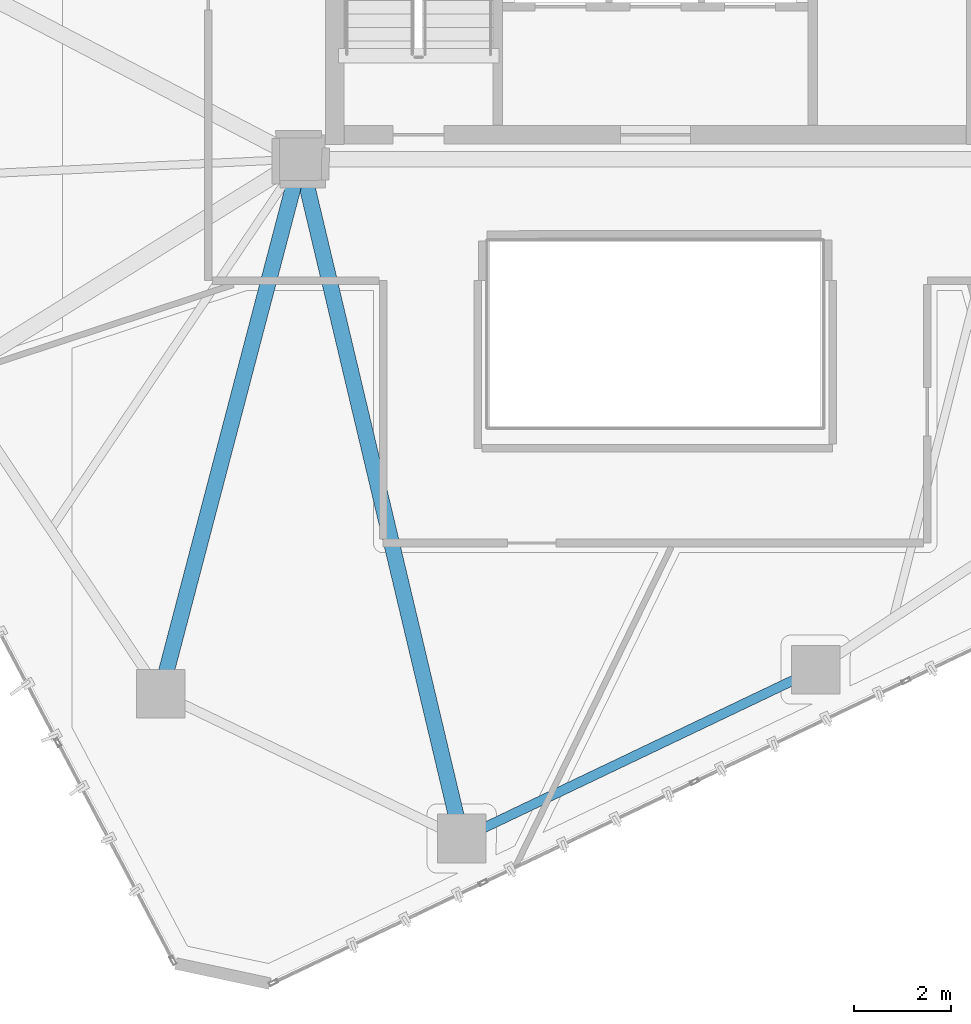
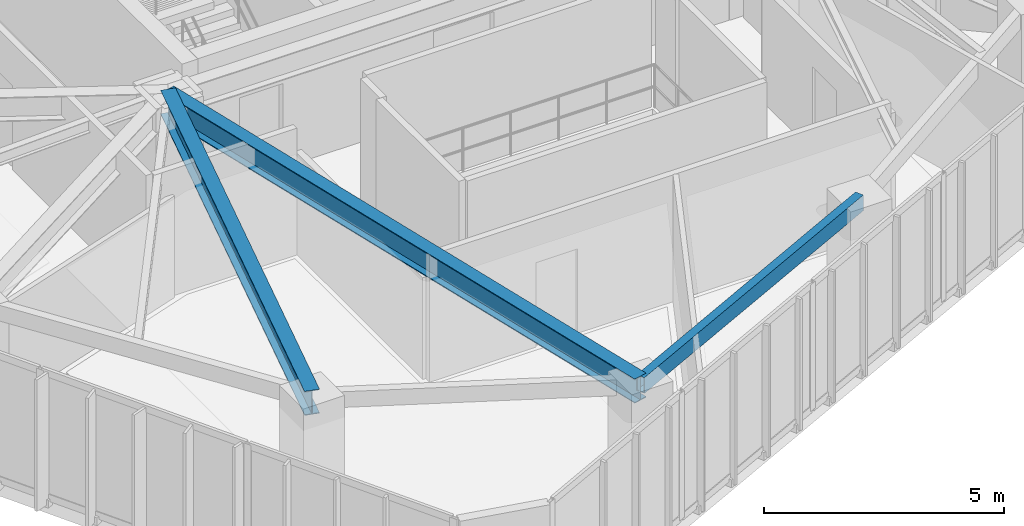
# One storey, part 5 of 18: 3 beams.
"""IFC4 building model written with IfcOpenShell, lengths in metres."""

import ifcopenshell
import ifcopenshell.guid

model = None  # the IFC model being written
_history = None  # IfcOwnerHistory: only IFC2X3 demands one
_inside = {}  # id of a spatial element -> (the spatial element, [elements in it])
_under = {}  # id of a project, library or spatial element -> (it, [spatial elements below it])
_declared = {}  # id of a project -> (the project, [libraries it declares])
_typed = {}  # id of a type object -> (the type object, [elements of that type])
_made_of = {}  # id of a material, layer set ... -> (it, [elements and type objects made of it])


def new_model(schema):
    """Start an empty IFC model of exactly this schema.

    Asked for "IFC4X3", IfcOpenShell would pick the latest addendum, in which some entities
    have other attributes; the version numbers below select the first issue.
    IFC2X3 requires an IfcOwnerHistory on every rooted entity: one is made here for all.
    """
    global model, _history
    if schema == "IFC4X3":
        model = ifcopenshell.file(schema_version=(4, 3, 0, 0))
    else:
        model = ifcopenshell.file(schema=schema)
    _inside.clear()
    _under.clear()
    _declared.clear()
    _typed.clear()
    _made_of.clear()
    _history = None
    if model.schema == "IFC2X3":
        org = make("IfcOrganization", Name="unknown")
        user = make(
            "IfcPersonAndOrganization",
            ThePerson=make("IfcPerson", FamilyName="unknown"),
            TheOrganization=org,
        )
        app = make(
            "IfcApplication",
            ApplicationDeveloper=org,
            Version="unknown",
            ApplicationFullName="unknown",
            ApplicationIdentifier="unknown",
        )
        _history = make(
            "IfcOwnerHistory",
            OwningUser=user,
            OwningApplication=app,
            ChangeAction="ADDED",
            CreationDate=0,
        )
    return model


def make(cls, **values):
    """One entity of the class cls with the attributes given. An attribute that is None is left unset."""
    return model.create_entity(
        cls, **{name: value for name, value in values.items() if value is not None}
    )


def rooted(cls, **values):
    """An entity with a GlobalId (a new one), such as an element, a storey or a relation."""
    return make(cls, GlobalId=ifcopenshell.guid.new(), OwnerHistory=_history, **values)


def si_unit(unit_type, name, prefix=None):
    """IfcSIUnit, for example si_unit("LENGTHUNIT", "METRE", prefix="MILLI")."""
    return make("IfcSIUnit", UnitType=unit_type, Prefix=prefix, Name=name)


def assignment(units):
    """IfcUnitAssignment: the units of a project."""
    return None if units is None else make("IfcUnitAssignment", Units=units)


def point(xyz):
    """IfcCartesianPoint."""
    return None if xyz is None else make("IfcCartesianPoint", Coordinates=xyz)


def direction(xyz):
    """IfcDirection."""
    return None if xyz is None else make("IfcDirection", DirectionRatios=xyz)


def frame(location, z_axis=None, x_axis=None):
    """IfcAxis2Placement3D, a coordinate frame: its origin and axes. An axis left out is left unset."""
    return make(
        "IfcAxis2Placement3D",
        Location=point(location),
        Axis=direction(z_axis),
        RefDirection=direction(x_axis),
    )


def frame_2d(location, x_axis=None):
    """IfcAxis2Placement2D, a coordinate frame in the plane: its origin and x axis."""
    return make(
        "IfcAxis2Placement2D", Location=point(location), RefDirection=direction(x_axis)
    )


def origin():
    """The frame at (0, 0, 0) with its axes left unset."""
    return frame((0.0, 0.0, 0.0))


def origin_2d():
    """The frame at (0, 0) in the plane with its x axis left unset."""
    return frame_2d((0.0, 0.0))


def place(relative_to, where):
    """IfcLocalPlacement: puts the frame where relative to a parent placement (None: the world)."""
    return make(
        "IfcLocalPlacement", PlacementRelTo=relative_to, RelativePlacement=where
    )


def context(
    kind, dimensions, precision=None, world=None, true_north=None, identifier=None
):
    """IfcGeometricRepresentationContext, for example the 3D "Model" context."""
    return make(
        "IfcGeometricRepresentationContext",
        ContextIdentifier=identifier,
        ContextType=kind,
        CoordinateSpaceDimension=dimensions,
        Precision=precision,
        WorldCoordinateSystem=world,
        TrueNorth=true_north,
    )


def subcontext(parent, identifier, kind, view, scale=None):
    """IfcGeometricRepresentationSubContext, for example "Body" below "Model"."""
    return make(
        "IfcGeometricRepresentationSubContext",
        ContextIdentifier=identifier,
        ContextType=kind,
        ParentContext=parent,
        TargetScale=scale,
        TargetView=view,
    )


def project(units=None, contexts=None):
    """IfcProject with its units and contexts."""
    return rooted(
        "IfcProject",
        Name="project",
        RepresentationContexts=contexts,
        UnitsInContext=assignment(units),
    )


def spatial(cls, under=None, at=None, **own):
    """A site, building, storey or space (cls), placed at a placement, below another one or the project."""
    s = rooted(cls, ObjectPlacement=at, **own)
    if under is not None:
        _under.setdefault(under.id(), (under, []))[1].append(s)
    return s


def profile(cls, at=None, kind="AREA", **sizes):
    """A parametric profile (cls). Its sizes go by their IFC names, for example OverallWidth=200.0."""
    return make(cls, ProfileType=kind, Position=at, **sizes)


def hollow_rectangle(**sizes):
    """IfcRectangleHollowProfileDef."""
    return profile("IfcRectangleHollowProfileDef", **sizes)


def i_section(**sizes):
    """IfcIShapeProfileDef."""
    return profile("IfcIShapeProfileDef", **sizes)


def extrude(swept, where, along, depth):
    """IfcExtrudedAreaSolid: the profile swept, set in the frame where, extruded along a direction by depth."""
    return make(
        "IfcExtrudedAreaSolid",
        SweptArea=swept,
        Position=where,
        ExtrudedDirection=direction(along),
        Depth=depth,
    )


def shape(context_of_items, identifier, shape_type, items):
    """IfcShapeRepresentation: the items that make up one representation, for example the "Body"."""
    return make(
        "IfcShapeRepresentation",
        ContextOfItems=context_of_items,
        RepresentationIdentifier=identifier,
        RepresentationType=shape_type,
        Items=items,
    )


def material(Name=None, Category=None):
    """IfcMaterial."""
    return make("IfcMaterial", Name=Name, Category=Category)


def material_profile(
    of_material, cross_section, Name=None, Category=None, Priority=None
):
    """IfcMaterialProfile: a cross section and its material."""
    return make(
        "IfcMaterialProfile",
        Name=Name,
        Material=of_material,
        Profile=cross_section,
        Priority=Priority,
        Category=Category,
    )


def profile_set(profiles, Name=None, composite=None):
    """IfcMaterialProfileSet."""
    return make(
        "IfcMaterialProfileSet",
        Name=Name,
        MaterialProfiles=profiles,
        CompositeProfile=composite,
    )


def made_of(thing, what):
    """Note that an element or type object is made of a material, layer set ...; save() writes the relation."""
    if what is not None:
        _made_of.setdefault(what.id(), (what, []))[1].append(thing)
    return thing


def type_object(cls, material=None, **own):
    """A type object (cls), such as IfcWallType, which elements share."""
    return made_of(rooted(cls, **own), material)


def element(
    cls,
    number,
    at=None,
    inside=None,
    cuts=None,
    type_object=None,
    material=None,
    context=None,
    identifier="Body",
    shape_type=None,
    held_by="IfcProductDefinitionShape",
    body=None,
    shapes=None,
    **own,
):
    """One element of the class cls, such as IfcWall. Its Tag is "e" and its number.

    at: its placement. inside: the storey or other place that contains it. cuts: it is an
    opening in that element (IfcRelVoidsElement). A single representation is given by context,
    identifier, shape_type and body (its items); several are given by shapes. held_by: the class
    of the entity that holds the representations. save() writes the other relations.
    """
    e = rooted(cls, Tag="e%d" % number, ObjectPlacement=at, **own)
    if body is not None:
        shapes = [shape(context, identifier, shape_type, body)]
    if shapes is not None:
        e.Representation = make(held_by, Representations=shapes)
    if inside is not None:
        _inside.setdefault(inside.id(), (inside, []))[1].append(e)
    if cuts is not None:
        rooted(
            "IfcRelVoidsElement", RelatingBuildingElement=cuts, RelatedOpeningElement=e
        )
    if type_object is not None:
        _typed.setdefault(type_object.id(), (type_object, []))[1].append(e)
    return made_of(e, material)


def aggregate(whole, parts):
    """IfcRelAggregates: a whole, such as a stair, and the parts it consists of."""
    return rooted("IfcRelAggregates", RelatingObject=whole, RelatedObjects=parts)


def save(model, path):
    """Write the relations noted so far, then the file.

    IfcRelAggregates (storeys below a building ...), IfcRelContainedInSpatialStructure (elements
    in a storey), IfcRelDefinesByType, IfcRelAssociatesMaterial and IfcRelDeclares: one each for
    every whole, place, type object, material and project.
    """
    for whole, parts in _under.values():
        aggregate(whole, parts)
    for where, things in _inside.values():
        rooted(
            "IfcRelContainedInSpatialStructure",
            RelatedElements=things,
            RelatingStructure=where,
        )
    for kind, things in _typed.values():
        rooted("IfcRelDefinesByType", RelatedObjects=things, RelatingType=kind)
    for what, things in _made_of.values():
        rooted("IfcRelAssociatesMaterial", RelatedObjects=things, RelatingMaterial=what)
    for by, libraries in _declared.values():
        rooted("IfcRelDeclares", RelatingContext=by, RelatedDefinitions=libraries)
    model.write(path)


model = new_model("IFC4")

# Units and contexts
model_context = context("Model", 3, precision=1e-05, world=origin(), true_north=direction((0.0, 1.0)))
body_context = subcontext(model_context, "Body", "Model", "MODEL_VIEW")
ifc_project = project(units=[si_unit("LENGTHUNIT", "METRE"), si_unit("AREAUNIT", "SQUARE_METRE"), si_unit("VOLUMEUNIT", "CUBIC_METRE"), si_unit("PLANEANGLEUNIT", "RADIAN"), si_unit("MASSUNIT", "GRAM", prefix="KILO")], contexts=[model_context])

# Site, building, storey
site_placement = place(None, origin())
site = spatial("IfcSite", under=ifc_project, at=site_placement, CompositionType="ELEMENT")
building_placement = place(site_placement, origin())
building = spatial("IfcBuilding", under=site, at=building_placement, Name="Talar Marvaseh", CompositionType="ELEMENT")
storey_placement = place(building_placement, frame((0.0, 0.0, 167.0)))
storey = spatial("IfcBuildingStorey", under=building, at=storey_placement, Name="L43", CompositionType="ELEMENT", Elevation=167.0)

# Beams
ifc_material = material(Name="Steel S355", Category="steel")
ifc_material_profile_1 = material_profile(ifc_material, hollow_rectangle(XDim=0.199951171875, YDim=0.39990234375, WallThickness=0.013916015625, at=origin_2d()), Name="RHS400x200x14")
ifc_profile_set_1 = profile_set([ifc_material_profile_1], Name="Steel S355")
beam_type_1 = type_object("IfcBeamType", Name="Zone 3 Perimeter Spandrel Beam RHS400x200x14", PredefinedType="SPANDREL", material=ifc_profile_set_1)
beam_1_placement = place(storey_placement, frame((29.299072265625, 14.993896484375, 3.030029296875), z_axis=(-0.902562267408, -0.430559349511, 0.0), x_axis=(0.430559349511, -0.902562267408, 0.0)))
element("IfcBeam", 1, at=beam_1_placement, inside=storey, type_object=beam_type_1, Name="L43 Zone 3 Perimeter Spandrel Beam RHS400x200x14", PredefinedType="SPANDREL", context=body_context, shape_type="SweptSolid", body=[
    extrude(hollow_rectangle(XDim=0.199951171875, YDim=0.39990234375, WallThickness=0.013916015625, at=origin_2d()), origin(), (0.0, 0.0, 1.0), 8.070556640625),
])
ifc_material_profile_2 = material_profile(ifc_material, i_section(OverallWidth=0.324951171875, OverallDepth=0.615966796875, WebThickness=0.013916015625, FlangeThickness=0.021484375, at=origin_2d()), Name="W610x174")
ifc_profile_set_2 = profile_set([ifc_material_profile_2], Name="Steel S355")
beam_type_2 = type_object("IfcBeamType", Name="Zone 3 Radial Floor Girder W610x174", PredefinedType="BEAM", material=ifc_profile_set_2)
beam_2_placement = place(storey_placement, frame((22.014892578125, 11.51904296875, 2.922119140625), z_axis=(-0.230707708791, 0.973023099985, 0.0), x_axis=(-0.973023099985, -0.230707708791, 0.0)))
element("IfcBeam", 2, at=beam_2_placement, inside=storey, type_object=beam_type_2, Name="L43 Zone 3 Radial Floor Girder W610x174", PredefinedType="BEAM", context=body_context, shape_type="SweptSolid", body=[
    extrude(i_section(OverallWidth=0.324951171875, OverallDepth=0.615966796875, WebThickness=0.013916015625, FlangeThickness=0.021484375, at=origin_2d()), origin(), (0.0, 0.0, 1.0), 14.36865234375),
])
beam_3_placement = place(storey_placement, frame((15.819091796875, 14.5009765625, 2.922119140625), z_axis=(0.253372787776, 0.967368714821, 0.0), x_axis=(-0.967368714821, 0.253372787776, 0.0)))
element("IfcBeam", 3, at=beam_3_placement, inside=storey, type_object=beam_type_2, Name="L43 Zone 3 Radial Floor Girder W610x174", PredefinedType="BEAM", context=body_context, shape_type="SweptSolid", body=[
    extrude(i_section(OverallWidth=0.324951171875, OverallDepth=0.615966796875, WebThickness=0.013916015625, FlangeThickness=0.021484375, at=origin_2d()), origin(), (0.0, 0.0, 1.0), 11.3701171875),
])

save(model, "model.ifc")
